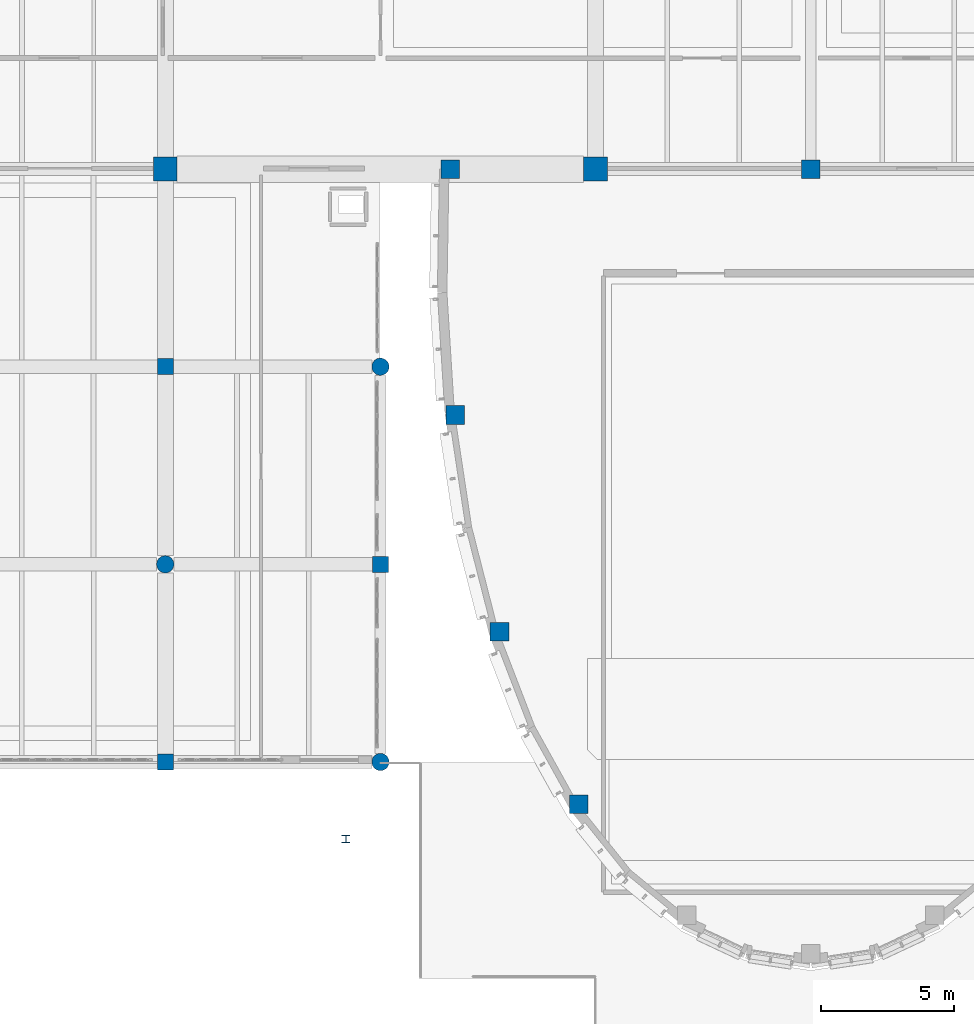
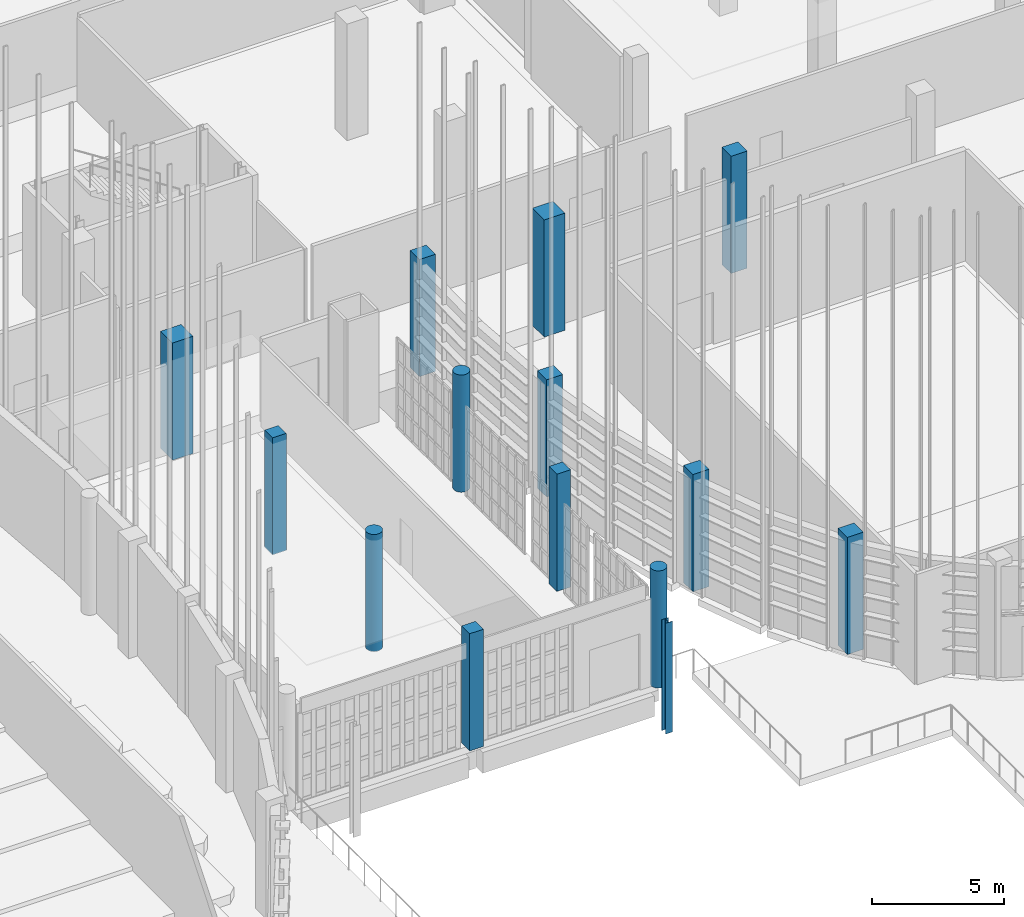
# One storey, part 5 of 372: 14 columns.
"""IFC4 building model written with IfcOpenShell, lengths in metres."""

from ifc_helpers import new_model, si_unit, direction, frame, origin, origin_2d, place, context, subcontext, project, spatial, rectangle, circle, i_section, extrude, material, material_profile, profile_set, type_object, element, save


model = new_model("IFC4")

# Units and contexts
model_context = context("Model", 3, precision=1e-05, world=origin(), true_north=direction((0.0, 1.0)))
body_context = subcontext(model_context, "Body", "Model", "MODEL_VIEW")
ifc_project = project(units=[si_unit("LENGTHUNIT", "METRE"), si_unit("AREAUNIT", "SQUARE_METRE"), si_unit("VOLUMEUNIT", "CUBIC_METRE"), si_unit("PLANEANGLEUNIT", "RADIAN"), si_unit("MASSUNIT", "GRAM", prefix="KILO")], contexts=[model_context])

# Site, building, storey
site_placement = place(None, origin())
site = spatial("IfcSite", under=ifc_project, at=site_placement, CompositionType="ELEMENT")
building_placement = place(site_placement, origin())
building = spatial("IfcBuilding", under=site, at=building_placement, Name="Kaelora Sail Theatre", CompositionType="ELEMENT")
storey_placement = place(building_placement, origin())
storey = spatial("IfcBuildingStorey", under=building, at=storey_placement, Name="L00", CompositionType="ELEMENT", Elevation=0.0)

# Columns
ifc_material_1 = material(Name="Steel S355", Category="steel")
ifc_material_profile_1 = material_profile(ifc_material_1, i_section(OverallWidth=0.300048828125, OverallDepth=0.2900390625, WebThickness=0.008544921875, FlangeThickness=0.013916015625, FilletRadius=0.027099609375, at=origin_2d()), Name="HEA 300")
ifc_profile_set_1 = profile_set([ifc_material_profile_1], Name="Steel S355")
column_type_1 = type_object("IfcColumnType", Name="STR-COL-C-HEA300", PredefinedType="COLUMN", material=ifc_profile_set_1)
column_placement = place(storey_placement, frame((73.10009765625, 35.800048828125, 0.0), z_axis=(0.0, 0.0, 1.0), x_axis=(1.0, 0.0, 0.0)))
element("IfcColumn", 1, at=column_placement, inside=storey, type_object=column_type_1, Name="Entrance canopy colonnade column E", PredefinedType="COLUMN", context=body_context, shape_type="SweptSolid", body=[
    extrude(i_section(OverallWidth=0.300048828125, OverallDepth=0.2900390625, WebThickness=0.008544921875, FlangeThickness=0.013916015625, FilletRadius=0.027099609375, at=origin_2d()), origin(), (0.0, 0.0, 1.0), 5.10498046875),
])
ifc_material_2 = material(Name="Concrete C40/50", Category="concrete")
ifc_material_profile_2 = material_profile(ifc_material_2, rectangle(XDim=0.60009765625, YDim=0.60009765625, at=origin_2d()), Name="RC-COL 600x600")
ifc_profile_set_2 = profile_set([ifc_material_profile_2], Name="Concrete C40/50")
column_type_2 = type_object("IfcColumnType", Name="STR-COL-C-RC600", PredefinedType="COLUMN", material=ifc_profile_set_2)
for number, where, z_axis, x_axis, name in (
    (2, (66.300048828125, 38.699951171875, 0.0), (0.0, 0.0, 1.0), (1.0, 0.0, 0.0), "Column 9/F (L00)"),
    (3, (66.300048828125, 53.580078125, 0.0), (0.0, 0.0, 1.0), (1.0, 0.0, 0.0), "Column 9/H (L00)"),
    (4, (74.39990234375, 46.139892578125, 0.0), (0.0, 0.0, 1.0), (1.0, 0.0, 0.0), "Column 10/G (L00)"),
):
    element("IfcColumn", number, at=place(storey_placement, frame(where, z_axis=z_axis, x_axis=x_axis)), inside=storey, type_object=column_type_2, Name=name, PredefinedType="COLUMN", context=body_context, shape_type="SweptSolid", body=[
        extrude(rectangle(XDim=0.60009765625, YDim=0.60009765625, at=origin_2d()), origin(), (0.0, 0.0, 1.0), 5.39990234375),
    ])
ifc_material_3 = material(Name="Concrete C45/55", Category="concrete")
ifc_material_profile_3 = material_profile(ifc_material_3, rectangle(XDim=0.699951171875, YDim=0.699951171875, at=origin_2d()), Name="RC-COL 700x700")
ifc_profile_set_3 = profile_set([ifc_material_profile_3], Name="Concrete C45/55")
column_type_3 = type_object("IfcColumnType", Name="STR-COL-C-RC700", PredefinedType="COLUMN", material=ifc_profile_set_3)
for number, where, z_axis, x_axis, name in (
    (5, (90.60009765625, 61.02001953125, 0.0), (0.0, 0.0, 1.0), (1.0, 0.0, 0.0), "Column 12/I (L00)"),
    (6, (77.02001953125, 61.02001953125, 0.0), (0.0, 0.0, 1.0), (1.0, 0.0, 0.0), "Studio Theatre north corner column NW (L00)"),
    (7, (81.865478515625, 37.115234375, 0.0), (0.0, 0.0, 1.0), (1.0, 0.0, 0.0), "Studio Theatre drum column K14 (L00)"),
    (8, (78.880615234375, 43.604736328125, 0.0), (0.0, 0.0, 1.0), (1.0, 0.0, 0.0), "Studio Theatre drum column K16 (L00)"),
    (9, (77.217041015625, 51.76416015625, 0.0), (0.0, 0.0, 1.0), (1.0, 0.0, 0.0), "Studio Theatre drum column K18 (L00)"),
):
    element("IfcColumn", number, at=place(storey_placement, frame(where, z_axis=z_axis, x_axis=x_axis)), inside=storey, type_object=column_type_3, Name=name, PredefinedType="COLUMN", context=body_context, shape_type="SweptSolid", body=[
        extrude(rectangle(XDim=0.699951171875, YDim=0.699951171875, at=origin_2d()), origin(), (0.0, 0.0, 1.0), 5.39990234375),
    ])
ifc_material_4 = material(Name="Concrete C50/60", Category="concrete")
ifc_material_profile_4 = material_profile(ifc_material_4, rectangle(XDim=0.89990234375, YDim=0.89990234375, at=origin_2d()), Name="RC-COL 900x900")
ifc_profile_set_4 = profile_set([ifc_material_profile_4], Name="Concrete C50/60")
column_type_4 = type_object("IfcColumnType", Name="STR-COL-C-RC900", PredefinedType="COLUMN", material=ifc_profile_set_4)
for number, where, z_axis, x_axis, name in (
    (10, (66.300048828125, 61.02001953125, 0.0), (0.0, 0.0, 1.0), (1.0, 0.0, 0.0), "Column 9/I (L00)"),
    (11, (82.5, 61.02001953125, 0.0), (0.0, 0.0, 1.0), (1.0, 0.0, 0.0), "Column 11/I (L00)"),
):
    element("IfcColumn", number, at=place(storey_placement, frame(where, z_axis=z_axis, x_axis=x_axis)), inside=storey, type_object=column_type_4, Name=name, PredefinedType="COLUMN", context=body_context, shape_type="SweptSolid", body=[
        extrude(rectangle(XDim=0.89990234375, YDim=0.89990234375, at=origin_2d()), origin(), (0.0, 0.0, 1.0), 5.39990234375),
    ])
ifc_material_5 = material(Name="Concrete C45/55", Category="concrete")
ifc_material_profile_5 = material_profile(ifc_material_5, circle(Radius=0.324951171875, at=origin_2d()), Name="RC-CCOL D650")
ifc_profile_set_5 = profile_set([ifc_material_profile_5], Name="Concrete C45/55")
column_type_5 = type_object("IfcColumnType", Name="STR-COL-C-RCD650", PredefinedType="COLUMN", material=ifc_profile_set_5)
for number, where, z_axis, x_axis, name in (
    (12, (66.300048828125, 46.139892578125, 0.0), (0.0, 0.0, 1.0), (1.0, 0.0, 0.0), "Column 9/G (L00)"),
    (13, (74.39990234375, 38.699951171875, 0.0), (0.0, 0.0, 1.0), (1.0, 0.0, 0.0), "Column 10/F (L00)"),
    (14, (74.39990234375, 53.580078125, 0.0), (0.0, 0.0, 1.0), (1.0, 0.0, 0.0), "Column 10/H (L00)"),
):
    element("IfcColumn", number, at=place(storey_placement, frame(where, z_axis=z_axis, x_axis=x_axis)), inside=storey, type_object=column_type_5, Name=name, PredefinedType="COLUMN", context=body_context, shape_type="SweptSolid", body=[
        extrude(circle(Radius=0.324951171875, at=origin_2d()), origin(), (0.0, 0.0, 1.0), 5.39990234375),
    ])

save(model, "model.ifc")
